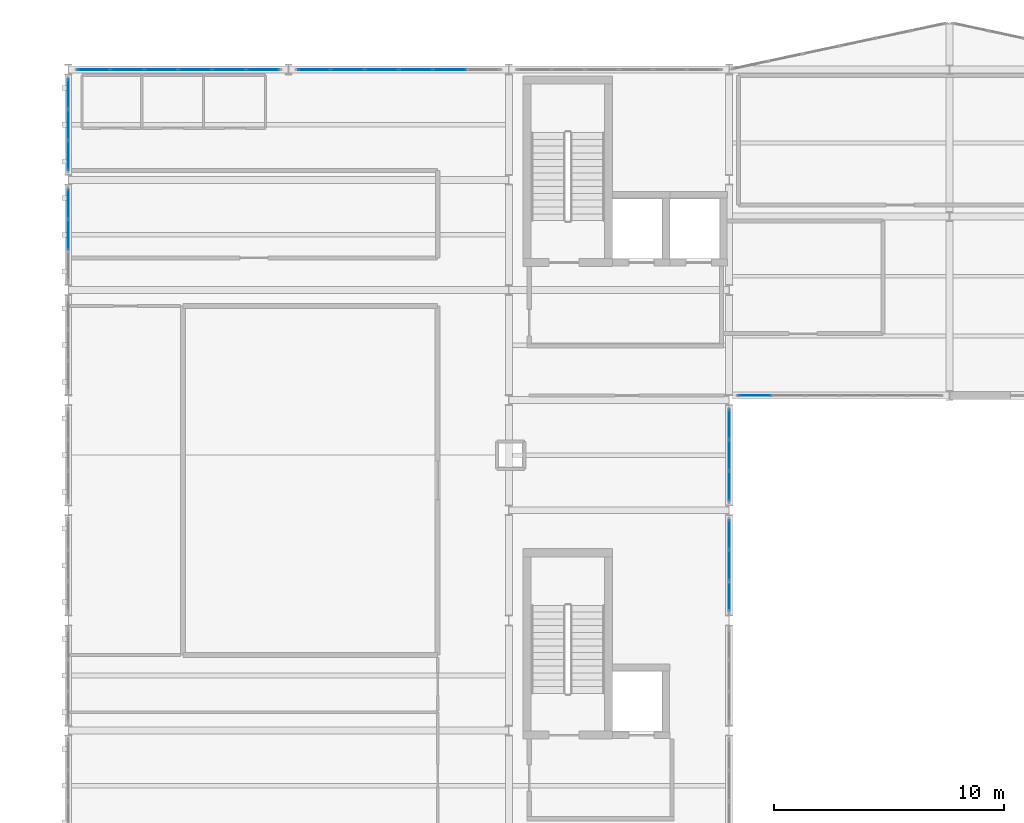
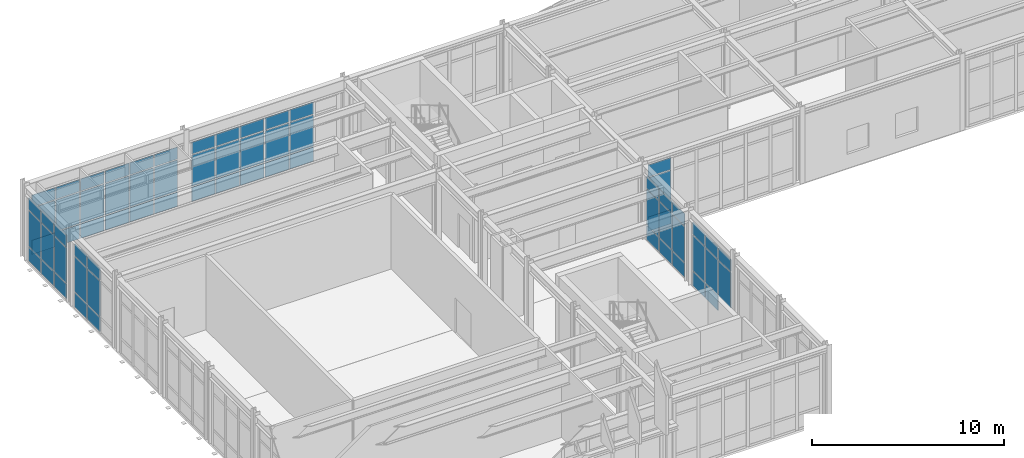
# One storey, part 18 of 28: 68 plates, 7 elements without a shape of their own.
"""IFC4 building model written with IfcOpenShell, lengths in metres."""

from ifc_helpers import new_model, si_unit, direction, frame, origin, origin_2d, place, context, subcontext, project, spatial, rectangle, extrude, material, layer, layer_set, type_object, element, aggregate, save


model = new_model("IFC4")

# Units and contexts
model_context = context("Model", 3, precision=1e-05, world=origin(), true_north=direction((0.0, 1.0)))
body_context = subcontext(model_context, "Body", "Model", "MODEL_VIEW")
ifc_project = project(units=[si_unit("LENGTHUNIT", "METRE"), si_unit("AREAUNIT", "SQUARE_METRE"), si_unit("VOLUMEUNIT", "CUBIC_METRE"), si_unit("PLANEANGLEUNIT", "RADIAN"), si_unit("MASSUNIT", "GRAM", prefix="KILO")], contexts=[model_context])

# Site, building, storey
site_placement = place(None, origin())
site = spatial("IfcSite", under=ifc_project, at=site_placement, CompositionType="ELEMENT")
building_placement = place(site_placement, origin())
building = spatial("IfcBuilding", under=site, at=building_placement, Name="Nordkorset Police Headquarters", CompositionType="ELEMENT")
storey_placement = place(building_placement, frame((0.0, 0.0, 26.25)))
storey = spatial("IfcBuildingStorey", under=building, at=storey_placement, Name="L06", CompositionType="ELEMENT", Elevation=26.25)

# Curtain wall, plates
ifc_material_1 = material(Name="Aluminium alloy AW-6060", Category="aluminium")
ifc_layer_1 = layer(ifc_material_1, 0.179931640625, Name="Aluminium alloy AW-6060")
ifc_layer_set_1 = layer_set([ifc_layer_1], Name="Aluminium alloy AW-6060")
curtain_wall_type_1 = type_object("IfcCurtainWallType", Name="CW_Unit_408x415", PredefinedType="USERDEFINED", material=ifc_layer_set_1)
curtain_wall_1_placement = place(storey_placement, origin())
curtain_wall_1 = element("IfcCurtainWall", 1, at=curtain_wall_1_placement, inside=storey, type_object=curtain_wall_type_1, Name="Unitised Curtain Wall L06 V1W-5", ObjectType="UNITISED CURTAIN WALL", PredefinedType="USERDEFINED")
ifc_material_2 = material(Name="Low-iron triple glazing", Category="glass")
ifc_layer_2 = layer(ifc_material_2, 0.035888671875, Name="Low-iron triple glazing")
ifc_layer_set_2 = layer_set([ifc_layer_2], Name="Low-iron triple glazing")
plate_type = type_object("IfcPlateType", Name="CW_Panel_TripleGlazing_36", PredefinedType="CURTAIN_PANEL", material=ifc_layer_set_2)
plate_1_placement = place(storey_placement, frame((0.0, 109.60009765625, 0.06494140625), z_axis=(0.0, 0.0, 1.0), x_axis=(0.0, 1.0, 0.0)))
plate_1 = element("IfcPlate", 2, at=plate_1_placement, type_object=plate_type, Name="CW-101 panel 2.1", PredefinedType="CURTAIN_PANEL", context=body_context, shape_type="SweptSolid", body=[
    extrude(rectangle(XDim=1.294921875, YDim=0.035888671875, at=origin_2d()), origin(), (0.0, 0.0, 1.0), 0.902587890625),
])
plate_2_placement = place(storey_placement, frame((0.0, 109.60009765625, 1.0322265625), z_axis=(0.0, 0.0, 1.0), x_axis=(0.0, 1.0, 0.0)))
plate_2 = element("IfcPlate", 3, at=plate_2_placement, type_object=plate_type, Name="CW-101 panel 2.2", PredefinedType="CURTAIN_PANEL", context=body_context, shape_type="SweptSolid", body=[
    extrude(rectangle(XDim=1.294921875, YDim=0.035888671875, at=origin_2d()), origin(), (0.0, 0.0, 1.0), 2.235107421875),
])
plate_3_placement = place(storey_placement, frame((0.0, 109.60009765625, 3.33251953125), z_axis=(0.0, 0.0, 1.0), x_axis=(0.0, 1.0, 0.0)))
plate_3 = element("IfcPlate", 4, at=plate_3_placement, type_object=plate_type, Name="CW-101 panel 2.3", PredefinedType="CURTAIN_PANEL", context=body_context, shape_type="SweptSolid", body=[
    extrude(rectangle(XDim=1.294921875, YDim=0.035888671875, at=origin_2d()), origin(), (0.0, 0.0, 1.0), 0.75244140625),
])
plate_4_placement = place(storey_placement, frame((0.0, 110.94384765625, 0.06494140625), z_axis=(0.0, 0.0, 1.0), x_axis=(0.0, 1.0, 0.0)))
plate_4 = element("IfcPlate", 5, at=plate_4_placement, type_object=plate_type, Name="CW-101 panel 3.1", PredefinedType="CURTAIN_PANEL", context=body_context, shape_type="SweptSolid", body=[
    extrude(rectangle(XDim=1.262451171875, YDim=0.035888671875, at=origin_2d()), origin(), (0.0, 0.0, 1.0), 0.902587890625),
])
plate_5_placement = place(storey_placement, frame((0.0, 110.94384765625, 1.0322265625), z_axis=(0.0, 0.0, 1.0), x_axis=(0.0, 1.0, 0.0)))
plate_5 = element("IfcPlate", 6, at=plate_5_placement, type_object=plate_type, Name="CW-101 panel 3.2", PredefinedType="CURTAIN_PANEL", context=body_context, shape_type="SweptSolid", body=[
    extrude(rectangle(XDim=1.262451171875, YDim=0.035888671875, at=origin_2d()), origin(), (0.0, 0.0, 1.0), 2.235107421875),
])
plate_6_placement = place(storey_placement, frame((0.0, 110.94384765625, 3.33251953125), z_axis=(0.0, 0.0, 1.0), x_axis=(0.0, 1.0, 0.0)))
plate_6 = element("IfcPlate", 7, at=plate_6_placement, type_object=plate_type, Name="CW-101 panel 3.3", PredefinedType="CURTAIN_PANEL", context=body_context, shape_type="SweptSolid", body=[
    extrude(rectangle(XDim=1.262451171875, YDim=0.035888671875, at=origin_2d()), origin(), (0.0, 0.0, 1.0), 0.75244140625),
])
aggregate(curtain_wall_1, [plate_1, plate_2, plate_3, plate_4, plate_5, plate_6])

curtain_wall_2_placement = place(storey_placement, origin())
curtain_wall_2 = element("IfcCurtainWall", 8, at=curtain_wall_2_placement, inside=storey, type_object=curtain_wall_type_1, Name="Unitised Curtain Wall L06 V1W-6", ObjectType="UNITISED CURTAIN WALL", PredefinedType="USERDEFINED")
plate_7_placement = place(storey_placement, frame((0.0, 113.05615234375, 0.06494140625), z_axis=(0.0, 0.0, 1.0), x_axis=(0.0, 1.0, 0.0)))
plate_7 = element("IfcPlate", 9, at=plate_7_placement, type_object=plate_type, Name="CW-101 panel 1.1", PredefinedType="CURTAIN_PANEL", context=body_context, shape_type="SweptSolid", body=[
    extrude(rectangle(XDim=1.262451171875, YDim=0.035888671875, at=origin_2d()), origin(), (0.0, 0.0, 1.0), 0.902587890625),
])
plate_8_placement = place(storey_placement, frame((0.0, 113.05615234375, 1.0322265625), z_axis=(0.0, 0.0, 1.0), x_axis=(0.0, 1.0, 0.0)))
plate_8 = element("IfcPlate", 10, at=plate_8_placement, type_object=plate_type, Name="CW-101 panel 1.2", PredefinedType="CURTAIN_PANEL", context=body_context, shape_type="SweptSolid", body=[
    extrude(rectangle(XDim=1.262451171875, YDim=0.035888671875, at=origin_2d()), origin(), (0.0, 0.0, 1.0), 2.235107421875),
])
plate_9_placement = place(storey_placement, frame((0.0, 113.05615234375, 3.33251953125), z_axis=(0.0, 0.0, 1.0), x_axis=(0.0, 1.0, 0.0)))
plate_9 = element("IfcPlate", 11, at=plate_9_placement, type_object=plate_type, Name="CW-101 panel 1.3", PredefinedType="CURTAIN_PANEL", context=body_context, shape_type="SweptSolid", body=[
    extrude(rectangle(XDim=1.262451171875, YDim=0.035888671875, at=origin_2d()), origin(), (0.0, 0.0, 1.0), 0.75244140625),
])
plate_10_placement = place(storey_placement, frame((0.0, 114.39990234375, 0.06494140625), z_axis=(0.0, 0.0, 1.0), x_axis=(0.0, 1.0, 0.0)))
plate_10 = element("IfcPlate", 12, at=plate_10_placement, type_object=plate_type, Name="CW-101 panel 2.1", PredefinedType="CURTAIN_PANEL", context=body_context, shape_type="SweptSolid", body=[
    extrude(rectangle(XDim=1.294921875, YDim=0.035888671875, at=origin_2d()), origin(), (0.0, 0.0, 1.0), 0.902587890625),
])
plate_11_placement = place(storey_placement, frame((0.0, 114.39990234375, 1.0322265625), z_axis=(0.0, 0.0, 1.0), x_axis=(0.0, 1.0, 0.0)))
plate_11 = element("IfcPlate", 13, at=plate_11_placement, type_object=plate_type, Name="CW-101 panel 2.2", PredefinedType="CURTAIN_PANEL", context=body_context, shape_type="SweptSolid", body=[
    extrude(rectangle(XDim=1.294921875, YDim=0.035888671875, at=origin_2d()), origin(), (0.0, 0.0, 1.0), 2.235107421875),
])
plate_12_placement = place(storey_placement, frame((0.0, 114.39990234375, 3.33251953125), z_axis=(0.0, 0.0, 1.0), x_axis=(0.0, 1.0, 0.0)))
plate_12 = element("IfcPlate", 14, at=plate_12_placement, type_object=plate_type, Name="CW-101 panel 2.3", PredefinedType="CURTAIN_PANEL", context=body_context, shape_type="SweptSolid", body=[
    extrude(rectangle(XDim=1.294921875, YDim=0.035888671875, at=origin_2d()), origin(), (0.0, 0.0, 1.0), 0.75244140625),
])
plate_13_placement = place(storey_placement, frame((0.0, 115.74365234375, 0.06494140625), z_axis=(0.0, 0.0, 1.0), x_axis=(0.0, 1.0, 0.0)))
plate_13 = element("IfcPlate", 15, at=plate_13_placement, type_object=plate_type, Name="CW-101 panel 3.1", PredefinedType="CURTAIN_PANEL", context=body_context, shape_type="SweptSolid", body=[
    extrude(rectangle(XDim=1.262451171875, YDim=0.035888671875, at=origin_2d()), origin(), (0.0, 0.0, 1.0), 0.902587890625),
])
plate_14_placement = place(storey_placement, frame((0.0, 115.74365234375, 1.0322265625), z_axis=(0.0, 0.0, 1.0), x_axis=(0.0, 1.0, 0.0)))
plate_14 = element("IfcPlate", 16, at=plate_14_placement, type_object=plate_type, Name="CW-101 panel 3.2", PredefinedType="CURTAIN_PANEL", context=body_context, shape_type="SweptSolid", body=[
    extrude(rectangle(XDim=1.262451171875, YDim=0.035888671875, at=origin_2d()), origin(), (0.0, 0.0, 1.0), 2.235107421875),
])
plate_15_placement = place(storey_placement, frame((0.0, 115.74365234375, 3.33251953125), z_axis=(0.0, 0.0, 1.0), x_axis=(0.0, 1.0, 0.0)))
plate_15 = element("IfcPlate", 17, at=plate_15_placement, type_object=plate_type, Name="CW-101 panel 3.3", PredefinedType="CURTAIN_PANEL", context=body_context, shape_type="SweptSolid", body=[
    extrude(rectangle(XDim=1.262451171875, YDim=0.035888671875, at=origin_2d()), origin(), (0.0, 0.0, 1.0), 0.75244140625),
])
aggregate(curtain_wall_2, [plate_7, plate_8, plate_9, plate_10, plate_11, plate_12, plate_13, plate_14, plate_15])

ifc_material_3 = material(Name="Aluminium alloy AW-6060", Category="aluminium")
ifc_layer_3 = layer(ifc_material_3, 0.179931640625, Name="Aluminium alloy AW-6060")
ifc_layer_set_3 = layer_set([ifc_layer_3], Name="Aluminium alloy AW-6060")
curtain_wall_type_2 = type_object("IfcCurtainWallType", Name="CW_Unit_888x389", PredefinedType="USERDEFINED", material=ifc_layer_set_3)
curtain_wall_3_placement = place(storey_placement, origin())
curtain_wall_3 = element("IfcCurtainWall", 18, at=curtain_wall_3_placement, inside=storey, type_object=curtain_wall_type_2, Name="Unitised Curtain Wall L06 V1N-0", ObjectType="UNITISED CURTAIN WALL", PredefinedType="USERDEFINED")
plate_16_placement = place(storey_placement, frame((1.1162109375, 116.800048828125, 0.06494140625), z_axis=(0.0, 0.0, 1.0), x_axis=(1.0, 0.0, 0.0)))
plate_16 = element("IfcPlate", 19, at=plate_16_placement, type_object=plate_type, Name="CW-76 panel 1.1", PredefinedType="CURTAIN_PANEL", context=body_context, shape_type="SweptSolid", body=[
    extrude(rectangle(XDim=1.382568359375, YDim=0.035888671875, at=origin_2d()), origin(), (0.0, 0.0, 1.0), 0.902587890625),
])
plate_17_placement = place(storey_placement, frame((1.1162109375, 116.800048828125, 1.032470703125), z_axis=(0.0, 0.0, 1.0), x_axis=(1.0, 0.0, 0.0)))
plate_17 = element("IfcPlate", 20, at=plate_17_placement, type_object=plate_type, Name="CW-76 panel 1.2", PredefinedType="CURTAIN_PANEL", context=body_context, shape_type="SweptSolid", body=[
    extrude(rectangle(XDim=1.382568359375, YDim=0.035888671875, at=origin_2d()), origin(), (0.0, 0.0, 1.0), 1.97509765625),
])
plate_18_placement = place(storey_placement, frame((1.1162109375, 116.800048828125, 3.072509765625), z_axis=(0.0, 0.0, 1.0), x_axis=(1.0, 0.0, 0.0)))
plate_18 = element("IfcPlate", 21, at=plate_18_placement, type_object=plate_type, Name="CW-76 panel 1.3", PredefinedType="CURTAIN_PANEL", context=body_context, shape_type="SweptSolid", body=[
    extrude(rectangle(XDim=1.382568359375, YDim=0.035888671875, at=origin_2d()), origin(), (0.0, 0.0, 1.0), 0.75244140625),
])
plate_19_placement = place(storey_placement, frame((2.580078125, 116.800048828125, 0.06494140625), z_axis=(0.0, 0.0, 1.0), x_axis=(1.0, 0.0, 0.0)))
plate_19 = element("IfcPlate", 22, at=plate_19_placement, type_object=plate_type, Name="CW-76 panel 2.1", PredefinedType="CURTAIN_PANEL", context=body_context, shape_type="SweptSolid", body=[
    extrude(rectangle(XDim=1.4150390625, YDim=0.035888671875, at=origin_2d()), origin(), (0.0, 0.0, 1.0), 0.902587890625),
])
plate_20_placement = place(storey_placement, frame((2.580078125, 116.800048828125, 1.032470703125), z_axis=(0.0, 0.0, 1.0), x_axis=(1.0, 0.0, 0.0)))
plate_20 = element("IfcPlate", 23, at=plate_20_placement, type_object=plate_type, Name="CW-76 panel 2.2", PredefinedType="CURTAIN_PANEL", context=body_context, shape_type="SweptSolid", body=[
    extrude(rectangle(XDim=1.4150390625, YDim=0.035888671875, at=origin_2d()), origin(), (0.0, 0.0, 1.0), 1.97509765625),
])
plate_21_placement = place(storey_placement, frame((2.580078125, 116.800048828125, 3.072509765625), z_axis=(0.0, 0.0, 1.0), x_axis=(1.0, 0.0, 0.0)))
plate_21 = element("IfcPlate", 24, at=plate_21_placement, type_object=plate_type, Name="CW-76 panel 2.3", PredefinedType="CURTAIN_PANEL", context=body_context, shape_type="SweptSolid", body=[
    extrude(rectangle(XDim=1.4150390625, YDim=0.035888671875, at=origin_2d()), origin(), (0.0, 0.0, 1.0), 0.75244140625),
])
plate_22_placement = place(storey_placement, frame((4.06005859375, 116.800048828125, 0.06494140625), z_axis=(0.0, 0.0, 1.0), x_axis=(1.0, 0.0, 0.0)))
plate_22 = element("IfcPlate", 25, at=plate_22_placement, type_object=plate_type, Name="CW-76 panel 3.1", PredefinedType="CURTAIN_PANEL", context=body_context, shape_type="SweptSolid", body=[
    extrude(rectangle(XDim=1.4150390625, YDim=0.035888671875, at=origin_2d()), origin(), (0.0, 0.0, 1.0), 0.902587890625),
])
plate_23_placement = place(storey_placement, frame((4.06005859375, 116.800048828125, 1.032470703125), z_axis=(0.0, 0.0, 1.0), x_axis=(1.0, 0.0, 0.0)))
plate_23 = element("IfcPlate", 26, at=plate_23_placement, type_object=plate_type, Name="CW-76 panel 3.2", PredefinedType="CURTAIN_PANEL", context=body_context, shape_type="SweptSolid", body=[
    extrude(rectangle(XDim=1.4150390625, YDim=0.035888671875, at=origin_2d()), origin(), (0.0, 0.0, 1.0), 1.97509765625),
])
plate_24_placement = place(storey_placement, frame((4.06005859375, 116.800048828125, 3.072509765625), z_axis=(0.0, 0.0, 1.0), x_axis=(1.0, 0.0, 0.0)))
plate_24 = element("IfcPlate", 27, at=plate_24_placement, type_object=plate_type, Name="CW-76 panel 3.3", PredefinedType="CURTAIN_PANEL", context=body_context, shape_type="SweptSolid", body=[
    extrude(rectangle(XDim=1.4150390625, YDim=0.035888671875, at=origin_2d()), origin(), (0.0, 0.0, 1.0), 0.75244140625),
])
plate_25_placement = place(storey_placement, frame((5.5400390625, 116.800048828125, 0.06494140625), z_axis=(0.0, 0.0, 1.0), x_axis=(1.0, 0.0, 0.0)))
plate_25 = element("IfcPlate", 28, at=plate_25_placement, type_object=plate_type, Name="CW-76 panel 4.1", PredefinedType="CURTAIN_PANEL", context=body_context, shape_type="SweptSolid", body=[
    extrude(rectangle(XDim=1.4150390625, YDim=0.035888671875, at=origin_2d()), origin(), (0.0, 0.0, 1.0), 0.902587890625),
])
plate_26_placement = place(storey_placement, frame((5.5400390625, 116.800048828125, 1.032470703125), z_axis=(0.0, 0.0, 1.0), x_axis=(1.0, 0.0, 0.0)))
plate_26 = element("IfcPlate", 29, at=plate_26_placement, type_object=plate_type, Name="CW-76 panel 4.2", PredefinedType="CURTAIN_PANEL", context=body_context, shape_type="SweptSolid", body=[
    extrude(rectangle(XDim=1.4150390625, YDim=0.035888671875, at=origin_2d()), origin(), (0.0, 0.0, 1.0), 1.97509765625),
])
plate_27_placement = place(storey_placement, frame((5.5400390625, 116.800048828125, 3.072509765625), z_axis=(0.0, 0.0, 1.0), x_axis=(1.0, 0.0, 0.0)))
plate_27 = element("IfcPlate", 30, at=plate_27_placement, type_object=plate_type, Name="CW-76 panel 4.3", PredefinedType="CURTAIN_PANEL", context=body_context, shape_type="SweptSolid", body=[
    extrude(rectangle(XDim=1.4150390625, YDim=0.035888671875, at=origin_2d()), origin(), (0.0, 0.0, 1.0), 0.75244140625),
])
plate_28_placement = place(storey_placement, frame((7.02001953125, 116.800048828125, 0.06494140625), z_axis=(0.0, 0.0, 1.0), x_axis=(1.0, 0.0, 0.0)))
plate_28 = element("IfcPlate", 31, at=plate_28_placement, type_object=plate_type, Name="CW-76 panel 5.1", PredefinedType="CURTAIN_PANEL", context=body_context, shape_type="SweptSolid", body=[
    extrude(rectangle(XDim=1.4150390625, YDim=0.035888671875, at=origin_2d()), origin(), (0.0, 0.0, 1.0), 0.902587890625),
])
plate_29_placement = place(storey_placement, frame((7.02001953125, 116.800048828125, 1.032470703125), z_axis=(0.0, 0.0, 1.0), x_axis=(1.0, 0.0, 0.0)))
plate_29 = element("IfcPlate", 32, at=plate_29_placement, type_object=plate_type, Name="CW-76 panel 5.2", PredefinedType="CURTAIN_PANEL", context=body_context, shape_type="SweptSolid", body=[
    extrude(rectangle(XDim=1.4150390625, YDim=0.035888671875, at=origin_2d()), origin(), (0.0, 0.0, 1.0), 1.97509765625),
])
plate_30_placement = place(storey_placement, frame((7.02001953125, 116.800048828125, 3.072509765625), z_axis=(0.0, 0.0, 1.0), x_axis=(1.0, 0.0, 0.0)))
plate_30 = element("IfcPlate", 33, at=plate_30_placement, type_object=plate_type, Name="CW-76 panel 5.3", PredefinedType="CURTAIN_PANEL", context=body_context, shape_type="SweptSolid", body=[
    extrude(rectangle(XDim=1.4150390625, YDim=0.035888671875, at=origin_2d()), origin(), (0.0, 0.0, 1.0), 0.75244140625),
])
plate_31_placement = place(storey_placement, frame((8.483642578125, 116.800048828125, 0.06494140625), z_axis=(0.0, 0.0, 1.0), x_axis=(1.0, 0.0, 0.0)))
plate_31 = element("IfcPlate", 34, at=plate_31_placement, type_object=plate_type, Name="CW-76 panel 6.1", PredefinedType="CURTAIN_PANEL", context=body_context, shape_type="SweptSolid", body=[
    extrude(rectangle(XDim=1.382568359375, YDim=0.035888671875, at=origin_2d()), origin(), (0.0, 0.0, 1.0), 0.902587890625),
])
plate_32_placement = place(storey_placement, frame((8.483642578125, 116.800048828125, 1.032470703125), z_axis=(0.0, 0.0, 1.0), x_axis=(1.0, 0.0, 0.0)))
plate_32 = element("IfcPlate", 35, at=plate_32_placement, type_object=plate_type, Name="CW-76 panel 6.2", PredefinedType="CURTAIN_PANEL", context=body_context, shape_type="SweptSolid", body=[
    extrude(rectangle(XDim=1.382568359375, YDim=0.035888671875, at=origin_2d()), origin(), (0.0, 0.0, 1.0), 1.97509765625),
])
plate_33_placement = place(storey_placement, frame((8.483642578125, 116.800048828125, 3.072509765625), z_axis=(0.0, 0.0, 1.0), x_axis=(1.0, 0.0, 0.0)))
plate_33 = element("IfcPlate", 36, at=plate_33_placement, type_object=plate_type, Name="CW-76 panel 6.3", PredefinedType="CURTAIN_PANEL", context=body_context, shape_type="SweptSolid", body=[
    extrude(rectangle(XDim=1.382568359375, YDim=0.035888671875, at=origin_2d()), origin(), (0.0, 0.0, 1.0), 0.75244140625),
])
aggregate(curtain_wall_3, [plate_16, plate_17, plate_18, plate_19, plate_20, plate_21, plate_22, plate_23, plate_24, plate_25, plate_26, plate_27, plate_28, plate_29, plate_30, plate_31, plate_32, plate_33])

curtain_wall_4_placement = place(storey_placement, origin())
curtain_wall_4 = element("IfcCurtainWall", 37, at=curtain_wall_4_placement, inside=storey, type_object=curtain_wall_type_2, Name="Unitised Curtain Wall L06 V1N-1", ObjectType="UNITISED CURTAIN WALL", PredefinedType="USERDEFINED")
plate_34_placement = place(storey_placement, frame((10.71630859375, 116.800048828125, 0.06494140625), z_axis=(0.0, 0.0, 1.0), x_axis=(1.0, 0.0, 0.0)))
plate_34 = element("IfcPlate", 38, at=plate_34_placement, type_object=plate_type, Name="CW-76 panel 1.1", PredefinedType="CURTAIN_PANEL", context=body_context, shape_type="SweptSolid", body=[
    extrude(rectangle(XDim=1.382568359375, YDim=0.035888671875, at=origin_2d()), origin(), (0.0, 0.0, 1.0), 0.902587890625),
])
plate_35_placement = place(storey_placement, frame((10.71630859375, 116.800048828125, 1.032470703125), z_axis=(0.0, 0.0, 1.0), x_axis=(1.0, 0.0, 0.0)))
plate_35 = element("IfcPlate", 39, at=plate_35_placement, type_object=plate_type, Name="CW-76 panel 1.2", PredefinedType="CURTAIN_PANEL", context=body_context, shape_type="SweptSolid", body=[
    extrude(rectangle(XDim=1.382568359375, YDim=0.035888671875, at=origin_2d()), origin(), (0.0, 0.0, 1.0), 1.97509765625),
])
plate_36_placement = place(storey_placement, frame((10.71630859375, 116.800048828125, 3.072509765625), z_axis=(0.0, 0.0, 1.0), x_axis=(1.0, 0.0, 0.0)))
plate_36 = element("IfcPlate", 40, at=plate_36_placement, type_object=plate_type, Name="CW-76 panel 1.3", PredefinedType="CURTAIN_PANEL", context=body_context, shape_type="SweptSolid", body=[
    extrude(rectangle(XDim=1.382568359375, YDim=0.035888671875, at=origin_2d()), origin(), (0.0, 0.0, 1.0), 0.75244140625),
])
plate_37_placement = place(storey_placement, frame((12.179931640625, 116.800048828125, 0.06494140625), z_axis=(0.0, 0.0, 1.0), x_axis=(1.0, 0.0, 0.0)))
plate_37 = element("IfcPlate", 41, at=plate_37_placement, type_object=plate_type, Name="CW-76 panel 2.1", PredefinedType="CURTAIN_PANEL", context=body_context, shape_type="SweptSolid", body=[
    extrude(rectangle(XDim=1.4150390625, YDim=0.035888671875, at=origin_2d()), origin(), (0.0, 0.0, 1.0), 0.902587890625),
])
plate_38_placement = place(storey_placement, frame((12.179931640625, 116.800048828125, 1.032470703125), z_axis=(0.0, 0.0, 1.0), x_axis=(1.0, 0.0, 0.0)))
plate_38 = element("IfcPlate", 42, at=plate_38_placement, type_object=plate_type, Name="CW-76 panel 2.2", PredefinedType="CURTAIN_PANEL", context=body_context, shape_type="SweptSolid", body=[
    extrude(rectangle(XDim=1.4150390625, YDim=0.035888671875, at=origin_2d()), origin(), (0.0, 0.0, 1.0), 1.97509765625),
])
plate_39_placement = place(storey_placement, frame((12.179931640625, 116.800048828125, 3.072509765625), z_axis=(0.0, 0.0, 1.0), x_axis=(1.0, 0.0, 0.0)))
plate_39 = element("IfcPlate", 43, at=plate_39_placement, type_object=plate_type, Name="CW-76 panel 2.3", PredefinedType="CURTAIN_PANEL", context=body_context, shape_type="SweptSolid", body=[
    extrude(rectangle(XDim=1.4150390625, YDim=0.035888671875, at=origin_2d()), origin(), (0.0, 0.0, 1.0), 0.75244140625),
])
plate_40_placement = place(storey_placement, frame((13.659912109375, 116.800048828125, 0.06494140625), z_axis=(0.0, 0.0, 1.0), x_axis=(1.0, 0.0, 0.0)))
plate_40 = element("IfcPlate", 44, at=plate_40_placement, type_object=plate_type, Name="CW-76 panel 3.1", PredefinedType="CURTAIN_PANEL", context=body_context, shape_type="SweptSolid", body=[
    extrude(rectangle(XDim=1.4150390625, YDim=0.035888671875, at=origin_2d()), origin(), (0.0, 0.0, 1.0), 0.902587890625),
])
plate_41_placement = place(storey_placement, frame((13.659912109375, 116.800048828125, 1.032470703125), z_axis=(0.0, 0.0, 1.0), x_axis=(1.0, 0.0, 0.0)))
plate_41 = element("IfcPlate", 45, at=plate_41_placement, type_object=plate_type, Name="CW-76 panel 3.2", PredefinedType="CURTAIN_PANEL", context=body_context, shape_type="SweptSolid", body=[
    extrude(rectangle(XDim=1.4150390625, YDim=0.035888671875, at=origin_2d()), origin(), (0.0, 0.0, 1.0), 1.97509765625),
])
plate_42_placement = place(storey_placement, frame((13.659912109375, 116.800048828125, 3.072509765625), z_axis=(0.0, 0.0, 1.0), x_axis=(1.0, 0.0, 0.0)))
plate_42 = element("IfcPlate", 46, at=plate_42_placement, type_object=plate_type, Name="CW-76 panel 3.3", PredefinedType="CURTAIN_PANEL", context=body_context, shape_type="SweptSolid", body=[
    extrude(rectangle(XDim=1.4150390625, YDim=0.035888671875, at=origin_2d()), origin(), (0.0, 0.0, 1.0), 0.75244140625),
])
plate_43_placement = place(storey_placement, frame((15.139892578125, 116.800048828125, 0.06494140625), z_axis=(0.0, 0.0, 1.0), x_axis=(1.0, 0.0, 0.0)))
plate_43 = element("IfcPlate", 47, at=plate_43_placement, type_object=plate_type, Name="CW-76 panel 4.1", PredefinedType="CURTAIN_PANEL", context=body_context, shape_type="SweptSolid", body=[
    extrude(rectangle(XDim=1.4150390625, YDim=0.035888671875, at=origin_2d()), origin(), (0.0, 0.0, 1.0), 0.902587890625),
])
plate_44_placement = place(storey_placement, frame((15.139892578125, 116.800048828125, 1.032470703125), z_axis=(0.0, 0.0, 1.0), x_axis=(1.0, 0.0, 0.0)))
plate_44 = element("IfcPlate", 48, at=plate_44_placement, type_object=plate_type, Name="CW-76 panel 4.2", PredefinedType="CURTAIN_PANEL", context=body_context, shape_type="SweptSolid", body=[
    extrude(rectangle(XDim=1.4150390625, YDim=0.035888671875, at=origin_2d()), origin(), (0.0, 0.0, 1.0), 1.97509765625),
])
plate_45_placement = place(storey_placement, frame((15.139892578125, 116.800048828125, 3.072509765625), z_axis=(0.0, 0.0, 1.0), x_axis=(1.0, 0.0, 0.0)))
plate_45 = element("IfcPlate", 49, at=plate_45_placement, type_object=plate_type, Name="CW-76 panel 4.3", PredefinedType="CURTAIN_PANEL", context=body_context, shape_type="SweptSolid", body=[
    extrude(rectangle(XDim=1.4150390625, YDim=0.035888671875, at=origin_2d()), origin(), (0.0, 0.0, 1.0), 0.75244140625),
])
plate_46_placement = place(storey_placement, frame((16.6201171875, 116.800048828125, 0.06494140625), z_axis=(0.0, 0.0, 1.0), x_axis=(1.0, 0.0, 0.0)))
plate_46 = element("IfcPlate", 50, at=plate_46_placement, type_object=plate_type, Name="CW-76 panel 5.1", PredefinedType="CURTAIN_PANEL", context=body_context, shape_type="SweptSolid", body=[
    extrude(rectangle(XDim=1.4150390625, YDim=0.035888671875, at=origin_2d()), origin(), (0.0, 0.0, 1.0), 0.902587890625),
])
plate_47_placement = place(storey_placement, frame((16.6201171875, 116.800048828125, 1.032470703125), z_axis=(0.0, 0.0, 1.0), x_axis=(1.0, 0.0, 0.0)))
plate_47 = element("IfcPlate", 51, at=plate_47_placement, type_object=plate_type, Name="CW-76 panel 5.2", PredefinedType="CURTAIN_PANEL", context=body_context, shape_type="SweptSolid", body=[
    extrude(rectangle(XDim=1.4150390625, YDim=0.035888671875, at=origin_2d()), origin(), (0.0, 0.0, 1.0), 1.97509765625),
])
plate_48_placement = place(storey_placement, frame((16.6201171875, 116.800048828125, 3.072509765625), z_axis=(0.0, 0.0, 1.0), x_axis=(1.0, 0.0, 0.0)))
plate_48 = element("IfcPlate", 52, at=plate_48_placement, type_object=plate_type, Name="CW-76 panel 5.3", PredefinedType="CURTAIN_PANEL", context=body_context, shape_type="SweptSolid", body=[
    extrude(rectangle(XDim=1.4150390625, YDim=0.035888671875, at=origin_2d()), origin(), (0.0, 0.0, 1.0), 0.75244140625),
])
aggregate(curtain_wall_4, [plate_34, plate_35, plate_36, plate_37, plate_38, plate_39, plate_40, plate_41, plate_42, plate_43, plate_44, plate_45, plate_46, plate_47, plate_48])

curtain_wall_5_placement = place(storey_placement, origin())
curtain_wall_5 = element("IfcCurtainWall", 53, at=curtain_wall_5_placement, inside=storey, type_object=curtain_wall_type_1, Name="Unitised Curtain Wall L06 V1E-2", ObjectType="UNITISED CURTAIN WALL", PredefinedType="USERDEFINED")
plate_49_placement = place(storey_placement, frame((28.800048828125, 93.856201171875, 1.0322265625), z_axis=(0.0, 0.0, 1.0), x_axis=(0.0, 1.0, 0.0)))
plate_49 = element("IfcPlate", 54, at=plate_49_placement, type_object=plate_type, Name="CW-101 panel 1.2", PredefinedType="CURTAIN_PANEL", context=body_context, shape_type="SweptSolid", body=[
    extrude(rectangle(XDim=1.262451171875, YDim=0.035888671875, at=origin_2d()), origin(), (0.0, 0.0, 1.0), 2.235107421875),
])
plate_50_placement = place(storey_placement, frame((28.800048828125, 93.856201171875, 3.33251953125), z_axis=(0.0, 0.0, 1.0), x_axis=(0.0, 1.0, 0.0)))
plate_50 = element("IfcPlate", 55, at=plate_50_placement, type_object=plate_type, Name="CW-101 panel 1.3", PredefinedType="CURTAIN_PANEL", context=body_context, shape_type="SweptSolid", body=[
    extrude(rectangle(XDim=1.262451171875, YDim=0.035888671875, at=origin_2d()), origin(), (0.0, 0.0, 1.0), 0.75244140625),
])
plate_51_placement = place(storey_placement, frame((28.800048828125, 95.199951171875, 0.06494140625), z_axis=(0.0, 0.0, 1.0), x_axis=(0.0, 1.0, 0.0)))
plate_51 = element("IfcPlate", 56, at=plate_51_placement, type_object=plate_type, Name="CW-101 panel 2.1", PredefinedType="CURTAIN_PANEL", context=body_context, shape_type="SweptSolid", body=[
    extrude(rectangle(XDim=1.294921875, YDim=0.035888671875, at=origin_2d()), origin(), (0.0, 0.0, 1.0), 0.902587890625),
])
plate_52_placement = place(storey_placement, frame((28.800048828125, 95.199951171875, 1.0322265625), z_axis=(0.0, 0.0, 1.0), x_axis=(0.0, 1.0, 0.0)))
plate_52 = element("IfcPlate", 57, at=plate_52_placement, type_object=plate_type, Name="CW-101 panel 2.2", PredefinedType="CURTAIN_PANEL", context=body_context, shape_type="SweptSolid", body=[
    extrude(rectangle(XDim=1.294921875, YDim=0.035888671875, at=origin_2d()), origin(), (0.0, 0.0, 1.0), 2.235107421875),
])
plate_53_placement = place(storey_placement, frame((28.800048828125, 95.199951171875, 3.33251953125), z_axis=(0.0, 0.0, 1.0), x_axis=(0.0, 1.0, 0.0)))
plate_53 = element("IfcPlate", 58, at=plate_53_placement, type_object=plate_type, Name="CW-101 panel 2.3", PredefinedType="CURTAIN_PANEL", context=body_context, shape_type="SweptSolid", body=[
    extrude(rectangle(XDim=1.294921875, YDim=0.035888671875, at=origin_2d()), origin(), (0.0, 0.0, 1.0), 0.75244140625),
])
plate_54_placement = place(storey_placement, frame((28.800048828125, 96.543701171875, 0.06494140625), z_axis=(0.0, 0.0, 1.0), x_axis=(0.0, 1.0, 0.0)))
plate_54 = element("IfcPlate", 59, at=plate_54_placement, type_object=plate_type, Name="CW-101 panel 3.1", PredefinedType="CURTAIN_PANEL", context=body_context, shape_type="SweptSolid", body=[
    extrude(rectangle(XDim=1.262451171875, YDim=0.035888671875, at=origin_2d()), origin(), (0.0, 0.0, 1.0), 0.902587890625),
])
plate_55_placement = place(storey_placement, frame((28.800048828125, 96.543701171875, 1.0322265625), z_axis=(0.0, 0.0, 1.0), x_axis=(0.0, 1.0, 0.0)))
plate_55 = element("IfcPlate", 60, at=plate_55_placement, type_object=plate_type, Name="CW-101 panel 3.2", PredefinedType="CURTAIN_PANEL", context=body_context, shape_type="SweptSolid", body=[
    extrude(rectangle(XDim=1.262451171875, YDim=0.035888671875, at=origin_2d()), origin(), (0.0, 0.0, 1.0), 2.235107421875),
])
plate_56_placement = place(storey_placement, frame((28.800048828125, 96.543701171875, 3.33251953125), z_axis=(0.0, 0.0, 1.0), x_axis=(0.0, 1.0, 0.0)))
plate_56 = element("IfcPlate", 61, at=plate_56_placement, type_object=plate_type, Name="CW-101 panel 3.3", PredefinedType="CURTAIN_PANEL", context=body_context, shape_type="SweptSolid", body=[
    extrude(rectangle(XDim=1.262451171875, YDim=0.035888671875, at=origin_2d()), origin(), (0.0, 0.0, 1.0), 0.75244140625),
])
aggregate(curtain_wall_5, [plate_49, plate_50, plate_51, plate_52, plate_53, plate_54, plate_55, plate_56])

curtain_wall_6_placement = place(storey_placement, origin())
curtain_wall_6 = element("IfcCurtainWall", 62, at=curtain_wall_6_placement, inside=storey, type_object=curtain_wall_type_1, Name="Unitised Curtain Wall L06 V1E-3", ObjectType="UNITISED CURTAIN WALL", PredefinedType="USERDEFINED")
plate_57_placement = place(storey_placement, frame((28.800048828125, 98.65625, 0.06494140625), z_axis=(0.0, 0.0, 1.0), x_axis=(0.0, 1.0, 0.0)))
plate_57 = element("IfcPlate", 63, at=plate_57_placement, type_object=plate_type, Name="CW-101 panel 1.1", PredefinedType="CURTAIN_PANEL", context=body_context, shape_type="SweptSolid", body=[
    extrude(rectangle(XDim=1.262451171875, YDim=0.035888671875, at=origin_2d()), origin(), (0.0, 0.0, 1.0), 0.902587890625),
])
plate_58_placement = place(storey_placement, frame((28.800048828125, 98.65625, 1.0322265625), z_axis=(0.0, 0.0, 1.0), x_axis=(0.0, 1.0, 0.0)))
plate_58 = element("IfcPlate", 64, at=plate_58_placement, type_object=plate_type, Name="CW-101 panel 1.2", PredefinedType="CURTAIN_PANEL", context=body_context, shape_type="SweptSolid", body=[
    extrude(rectangle(XDim=1.262451171875, YDim=0.035888671875, at=origin_2d()), origin(), (0.0, 0.0, 1.0), 2.235107421875),
])
plate_59_placement = place(storey_placement, frame((28.800048828125, 98.65625, 3.33251953125), z_axis=(0.0, 0.0, 1.0), x_axis=(0.0, 1.0, 0.0)))
plate_59 = element("IfcPlate", 65, at=plate_59_placement, type_object=plate_type, Name="CW-101 panel 1.3", PredefinedType="CURTAIN_PANEL", context=body_context, shape_type="SweptSolid", body=[
    extrude(rectangle(XDim=1.262451171875, YDim=0.035888671875, at=origin_2d()), origin(), (0.0, 0.0, 1.0), 0.75244140625),
])
plate_60_placement = place(storey_placement, frame((28.800048828125, 100.0, 0.06494140625), z_axis=(0.0, 0.0, 1.0), x_axis=(0.0, 1.0, 0.0)))
plate_60 = element("IfcPlate", 66, at=plate_60_placement, type_object=plate_type, Name="CW-101 panel 2.1", PredefinedType="CURTAIN_PANEL", context=body_context, shape_type="SweptSolid", body=[
    extrude(rectangle(XDim=1.294921875, YDim=0.035888671875, at=origin_2d()), origin(), (0.0, 0.0, 1.0), 0.902587890625),
])
plate_61_placement = place(storey_placement, frame((28.800048828125, 100.0, 1.0322265625), z_axis=(0.0, 0.0, 1.0), x_axis=(0.0, 1.0, 0.0)))
plate_61 = element("IfcPlate", 67, at=plate_61_placement, type_object=plate_type, Name="CW-101 panel 2.2", PredefinedType="CURTAIN_PANEL", context=body_context, shape_type="SweptSolid", body=[
    extrude(rectangle(XDim=1.294921875, YDim=0.035888671875, at=origin_2d()), origin(), (0.0, 0.0, 1.0), 2.235107421875),
])
plate_62_placement = place(storey_placement, frame((28.800048828125, 100.0, 3.33251953125), z_axis=(0.0, 0.0, 1.0), x_axis=(0.0, 1.0, 0.0)))
plate_62 = element("IfcPlate", 68, at=plate_62_placement, type_object=plate_type, Name="CW-101 panel 2.3", PredefinedType="CURTAIN_PANEL", context=body_context, shape_type="SweptSolid", body=[
    extrude(rectangle(XDim=1.294921875, YDim=0.035888671875, at=origin_2d()), origin(), (0.0, 0.0, 1.0), 0.75244140625),
])
plate_63_placement = place(storey_placement, frame((28.800048828125, 101.34375, 0.06494140625), z_axis=(0.0, 0.0, 1.0), x_axis=(0.0, 1.0, 0.0)))
plate_63 = element("IfcPlate", 69, at=plate_63_placement, type_object=plate_type, Name="CW-101 panel 3.1", PredefinedType="CURTAIN_PANEL", context=body_context, shape_type="SweptSolid", body=[
    extrude(rectangle(XDim=1.262451171875, YDim=0.035888671875, at=origin_2d()), origin(), (0.0, 0.0, 1.0), 0.902587890625),
])
plate_64_placement = place(storey_placement, frame((28.800048828125, 101.34375, 1.0322265625), z_axis=(0.0, 0.0, 1.0), x_axis=(0.0, 1.0, 0.0)))
plate_64 = element("IfcPlate", 70, at=plate_64_placement, type_object=plate_type, Name="CW-101 panel 3.2", PredefinedType="CURTAIN_PANEL", context=body_context, shape_type="SweptSolid", body=[
    extrude(rectangle(XDim=1.262451171875, YDim=0.035888671875, at=origin_2d()), origin(), (0.0, 0.0, 1.0), 2.235107421875),
])
plate_65_placement = place(storey_placement, frame((28.800048828125, 101.34375, 3.33251953125), z_axis=(0.0, 0.0, 1.0), x_axis=(0.0, 1.0, 0.0)))
plate_65 = element("IfcPlate", 71, at=plate_65_placement, type_object=plate_type, Name="CW-101 panel 3.3", PredefinedType="CURTAIN_PANEL", context=body_context, shape_type="SweptSolid", body=[
    extrude(rectangle(XDim=1.262451171875, YDim=0.035888671875, at=origin_2d()), origin(), (0.0, 0.0, 1.0), 0.75244140625),
])
aggregate(curtain_wall_6, [plate_57, plate_58, plate_59, plate_60, plate_61, plate_62, plate_63, plate_64, plate_65])

ifc_material_4 = material(Name="Aluminium alloy AW-6060", Category="aluminium")
ifc_layer_4 = layer(ifc_material_4, 0.179931640625, Name="Aluminium alloy AW-6060")
ifc_layer_set_4 = layer_set([ifc_layer_4], Name="Aluminium alloy AW-6060")
curtain_wall_type_3 = type_object("IfcCurtainWallType", Name="CW_Unit_888x434", PredefinedType="USERDEFINED", material=ifc_layer_set_4)
curtain_wall_7_placement = place(storey_placement, origin())
curtain_wall_7 = element("IfcCurtainWall", 72, at=curtain_wall_7_placement, inside=storey, type_object=curtain_wall_type_3, Name="Unitised Curtain Wall L06 V2S-0", ObjectType="UNITISED CURTAIN WALL", PredefinedType="USERDEFINED")
plate_66_placement = place(storey_placement, frame((29.916259765625, 102.60009765625, 0.06494140625), z_axis=(0.0, 0.0, 1.0), x_axis=(1.0, 0.0, 0.0)))
plate_66 = element("IfcPlate", 73, at=plate_66_placement, type_object=plate_type, Name="CW-74 panel 1.1", PredefinedType="CURTAIN_PANEL", context=body_context, shape_type="SweptSolid", body=[
    extrude(rectangle(XDim=1.382568359375, YDim=0.035888671875, at=origin_2d()), origin(), (0.0, 0.0, 1.0), 0.902587890625),
])
plate_67_placement = place(storey_placement, frame((29.916259765625, 102.60009765625, 1.032470703125), z_axis=(0.0, 0.0, 1.0), x_axis=(1.0, 0.0, 0.0)))
plate_67 = element("IfcPlate", 74, at=plate_67_placement, type_object=plate_type, Name="CW-74 panel 1.2", PredefinedType="CURTAIN_PANEL", context=body_context, shape_type="SweptSolid", body=[
    extrude(rectangle(XDim=1.382568359375, YDim=0.035888671875, at=origin_2d()), origin(), (0.0, 0.0, 1.0), 2.419921875),
])
plate_68_placement = place(storey_placement, frame((29.916259765625, 102.60009765625, 3.517578125), z_axis=(0.0, 0.0, 1.0), x_axis=(1.0, 0.0, 0.0)))
plate_68 = element("IfcPlate", 75, at=plate_68_placement, type_object=plate_type, Name="CW-74 panel 1.3", PredefinedType="CURTAIN_PANEL", context=body_context, shape_type="SweptSolid", body=[
    extrude(rectangle(XDim=1.382568359375, YDim=0.035888671875, at=origin_2d()), origin(), (0.0, 0.0, 1.0), 0.75244140625),
])
aggregate(curtain_wall_7, [plate_66, plate_67, plate_68])

save(model, "model.ifc")
